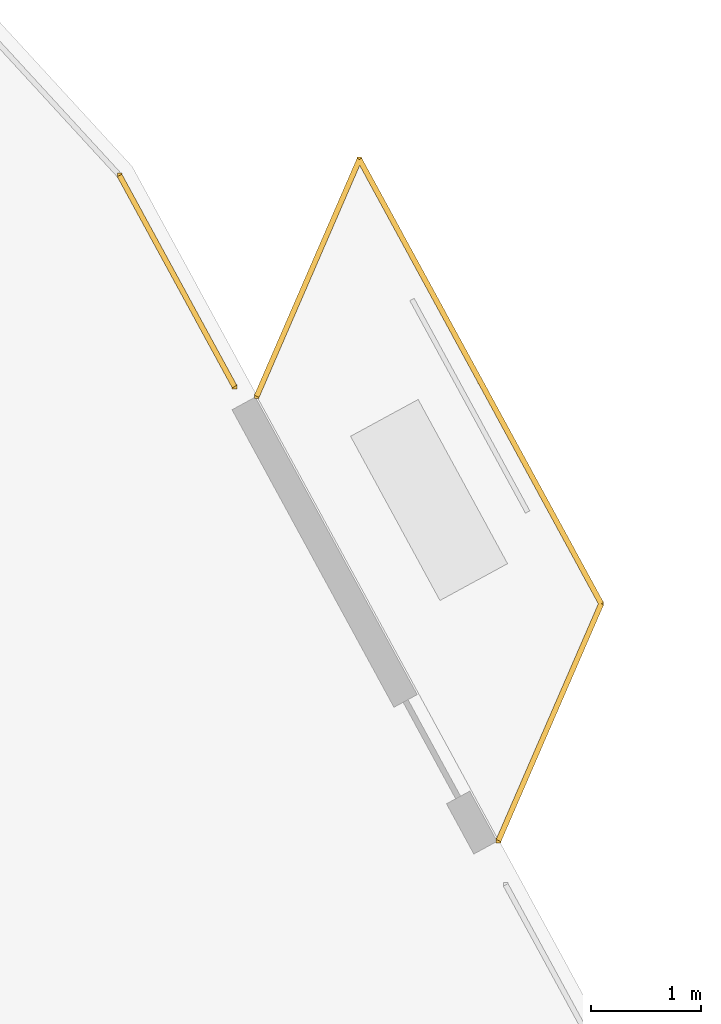
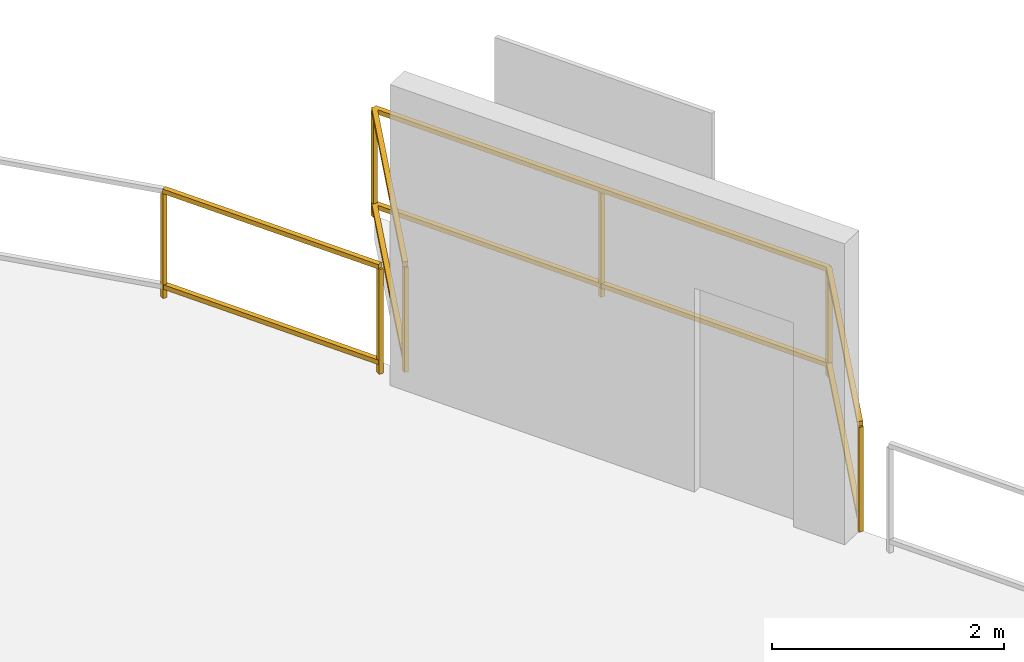
# One storey, part 30 of 30: 2 railings.
"""IFC4 building model written with IfcOpenShell, lengths in metres."""

from ifc_helpers import new_model, si_unit, direction, frame, origin, origin_2d, place, context, subcontext, project, spatial, rectangle, extrude, material, type_object, element, save


model = new_model("IFC4")

# Units and contexts
model_context = context("Model", 3, precision=1e-05, world=origin(), true_north=direction((0.0, 1.0)))
body_context = subcontext(model_context, "Body", "Model", "MODEL_VIEW")
ifc_project = project(units=[si_unit("LENGTHUNIT", "METRE"), si_unit("AREAUNIT", "SQUARE_METRE"), si_unit("VOLUMEUNIT", "CUBIC_METRE"), si_unit("PLANEANGLEUNIT", "RADIAN"), si_unit("MASSUNIT", "GRAM", prefix="KILO")], contexts=[model_context])

# Site, building, storey
site_placement = place(None, origin())
site = spatial("IfcSite", under=ifc_project, at=site_placement, CompositionType="ELEMENT")
building_placement = place(site_placement, origin())
building = spatial("IfcBuilding", under=site, at=building_placement, Name="Qarnah Convention Tower", CompositionType="ELEMENT")
storey_placement = place(building_placement, frame((0.0, 0.0, 61.5)))
storey = spatial("IfcBuildingStorey", under=building, at=storey_placement, Name="L15", CompositionType="ELEMENT", Elevation=61.5)

# Railings
ifc_material = material(Name="Black anodised aluminium", Category="aluminium")
railing_type = type_object("IfcRailingType", Name="RL-EXT-GUARD-1150", PredefinedType="GUARDRAIL", material=ifc_material)
railing_1_placement = place(storey_placement, frame((58.139892578125, 42.114990234375, 0.0)))
element("IfcRailing", 1, at=railing_1_placement, inside=storey, type_object=railing_type, Name="L15 slab-edge perimeter safety guard 01", PredefinedType="GUARDRAIL", context=body_context, shape_type="SweptSolid", body=[
    extrude(rectangle(XDim=0.048095703125, YDim=0.048095703125, at=origin_2d()), frame((0.0, 0.0, 1.1259765625), z_axis=(0.478124234093, -0.878292216049, 0.0), x_axis=(0.878292216049, 0.478124234093, 0.0)), (0.0, 0.0, 1.0), 2.18603515625),
    extrude(rectangle(XDim=0.048095703125, YDim=0.048095703125, at=origin_2d()), frame((0.0, 0.0, 0.1201171875), z_axis=(0.478124234093, -0.878292216049, 0.0), x_axis=(0.878292216049, 0.478124234093, 0.0)), (0.0, 0.0, 1.0), 2.18603515625),
    extrude(rectangle(XDim=0.0419921875, YDim=0.0419921875, at=origin_2d()), origin(), (0.0, 0.0, 1.0), 1.101806640625),
    extrude(rectangle(XDim=0.0419921875, YDim=0.0419921875, at=origin_2d()), frame((1.045166015625, -1.919921875, 0.0)), (0.0, 0.0, 1.0), 1.101806640625),
])
railing_2_placement = place(storey_placement, frame((59.386962890625, 40.10693359375, 0.0)))
element("IfcRailing", 2, at=railing_2_placement, inside=storey, type_object=railing_type, Name="L15 balcony safety guard BAL-L15-C1", PredefinedType="GUARDRAIL", context=body_context, shape_type="SweptSolid", body=[
    extrude(rectangle(XDim=0.048095703125, YDim=0.048095703125, at=origin_2d()), frame((0.0, 0.0, 1.1259765625), z_axis=(0.39784379653, 0.917453166959, 0.0), x_axis=(-0.917453166959, 0.39784379653, 0.0)), (0.0, 0.0, 1.0), 2.347900390625),
    extrude(rectangle(XDim=0.048095703125, YDim=0.048095703125, at=origin_2d()), frame((0.0, 0.0, 0.1201171875), z_axis=(0.39784379653, 0.917453166959, 0.0), x_axis=(-0.917453166959, 0.39784379653, 0.0)), (0.0, 0.0, 1.0), 2.347900390625),
    extrude(rectangle(XDim=0.048095703125, YDim=0.048095703125, at=origin_2d()), frame((0.93408203125, 2.154052734375, 1.1259765625), z_axis=(0.4780672743, -0.878323221396, 0.0), x_axis=(0.878323221396, 0.4780672743, 0.0)), (0.0, 0.0, 1.0), 4.599609375),
    extrude(rectangle(XDim=0.048095703125, YDim=0.048095703125, at=origin_2d()), frame((0.93408203125, 2.154052734375, 0.1201171875), z_axis=(0.4780672743, -0.878323221396, 0.0), x_axis=(0.878323221396, 0.4780672743, 0.0)), (0.0, 0.0, 1.0), 4.599609375),
    extrude(rectangle(XDim=0.048095703125, YDim=0.048095703125, at=origin_2d()), frame((3.133056640625, -1.885986328125, 1.1259765625), z_axis=(-0.39784379653, -0.917453166959, 0.0), x_axis=(0.917453166959, -0.39784379653, 0.0)), (0.0, 0.0, 1.0), 2.347900390625),
    extrude(rectangle(XDim=0.048095703125, YDim=0.048095703125, at=origin_2d()), frame((3.133056640625, -1.885986328125, 0.1201171875), z_axis=(-0.39784379653, -0.917453166959, 0.0), x_axis=(0.917453166959, -0.39784379653, 0.0)), (0.0, 0.0, 1.0), 2.347900390625),
    extrude(rectangle(XDim=0.0419921875, YDim=0.0419921875, at=origin_2d()), origin(), (0.0, 0.0, 1.0), 1.101806640625),
    extrude(rectangle(XDim=0.0419921875, YDim=0.0419921875, at=origin_2d()), frame((0.93408203125, 2.154052734375, 0.0)), (0.0, 0.0, 1.0), 1.101806640625),
    extrude(rectangle(XDim=0.0419921875, YDim=0.0419921875, at=origin_2d()), frame((2.03369140625, 0.134033203125, 0.0)), (0.0, 0.0, 1.0), 1.101806640625),
    extrude(rectangle(XDim=0.0419921875, YDim=0.0419921875, at=origin_2d()), frame((3.133056640625, -1.885986328125, 0.0)), (0.0, 0.0, 1.0), 1.101806640625),
    extrude(rectangle(XDim=0.0419921875, YDim=0.0419921875, at=origin_2d()), frame((2.198974609375, -4.0400390625, 0.0)), (0.0, 0.0, 1.0), 1.101806640625),
])

save(model, "model.ifc")
